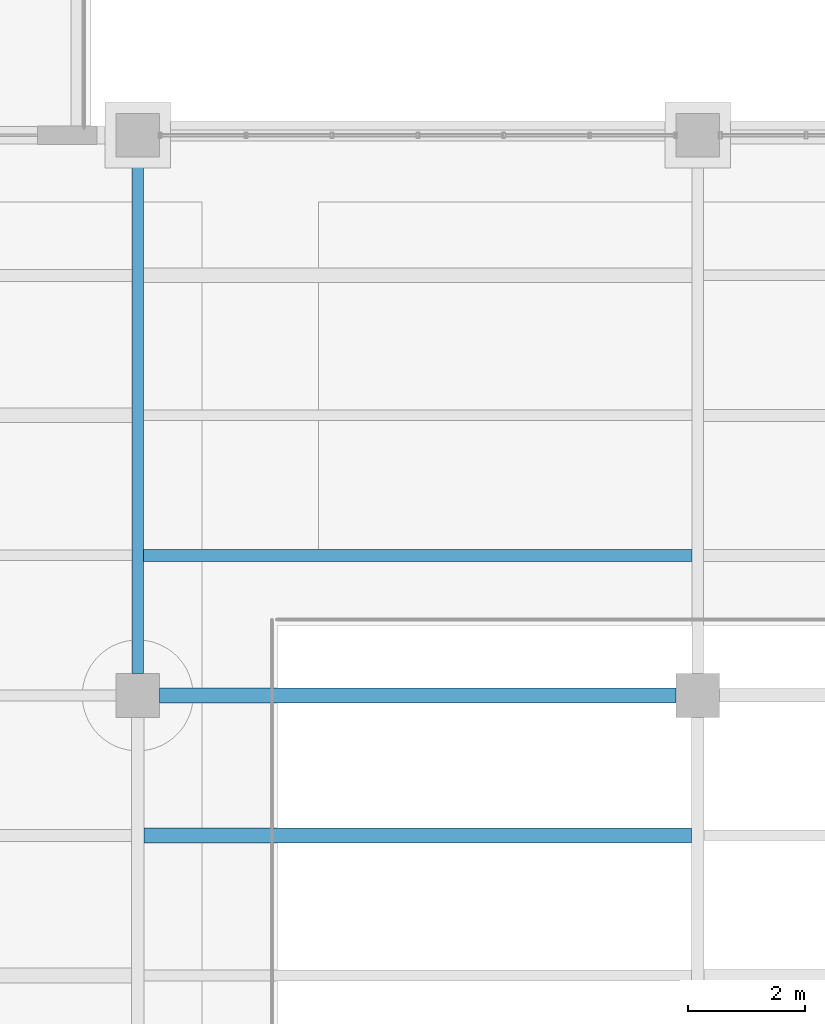
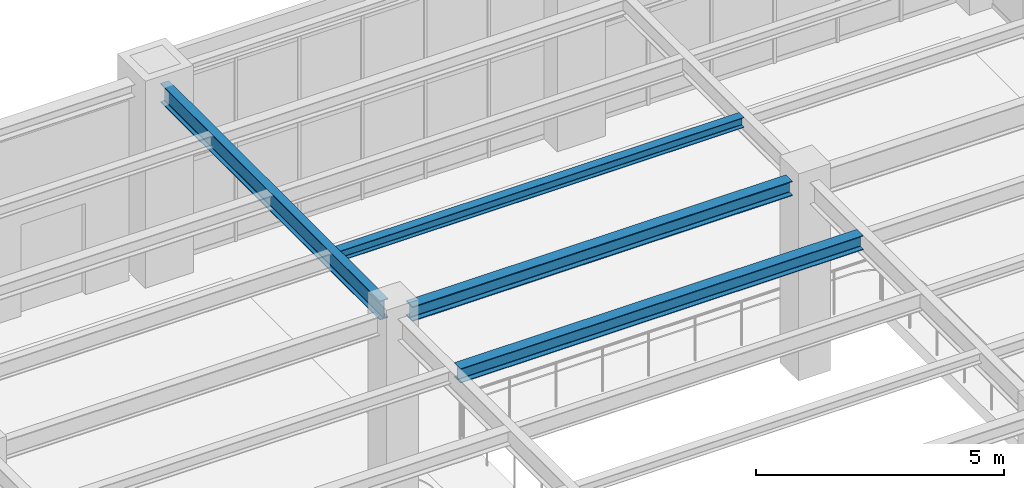
# One storey, part 19 of 174: 4 beams.
"""IFC4 building model written with IfcOpenShell, lengths in metres."""

from ifc_helpers import new_model, si_unit, direction, frame, origin, origin_2d, place, context, subcontext, project, spatial, i_section, extrude, material, material_profile, profile_set, type_object, element, save


model = new_model("IFC4")

# Units and contexts
model_context = context("Model", 3, precision=1e-05, world=origin(), true_north=direction((0.0, 1.0)))
body_context = subcontext(model_context, "Body", "Model", "MODEL_VIEW")
ifc_project = project(units=[si_unit("LENGTHUNIT", "METRE"), si_unit("AREAUNIT", "SQUARE_METRE"), si_unit("VOLUMEUNIT", "CUBIC_METRE"), si_unit("PLANEANGLEUNIT", "RADIAN"), si_unit("MASSUNIT", "GRAM", prefix="KILO")], contexts=[model_context])

# Site, building, storey
site_placement = place(None, origin())
site = spatial("IfcSite", under=ifc_project, at=site_placement, CompositionType="ELEMENT")
building_placement = place(site_placement, origin())
building = spatial("IfcBuilding", under=site, at=building_placement, Name="Mavantir Sound Aquarium", CompositionType="ELEMENT")
storey_placement = place(building_placement, frame((0.0, 0.0, 5.39990234375)))
storey = spatial("IfcBuildingStorey", under=building, at=storey_placement, Name="L01", CompositionType="ELEMENT", Elevation=5.39990234375)

# Beams
ifc_material = material(Name="Structural Steel ASTM A992 Gr50", Category="steel")
ifc_material_profile_1 = material_profile(ifc_material, i_section(OverallWidth=0.202880859375, OverallDepth=0.251953125, WebThickness=0.008056640625, FlangeThickness=0.013427734375, FilletRadius=0.011962890625, at=origin_2d()), Name="W250X58")
ifc_profile_set_1 = profile_set([ifc_material_profile_1], Name="Structural Steel ASTM A992 Gr50")
beam_type_1 = type_object("IfcBeamType", Name="BM-W250X58-I", PredefinedType="JOIST", material=ifc_profile_set_1)
beam_1_placement = place(storey_placement, frame((19.297119140625, 21.60009765625, 4.650146484375), z_axis=(1.0, 0.0, 0.0), x_axis=(0.0, 1.0, 0.0)))
element("IfcBeam", 1, at=beam_1_placement, inside=storey, type_object=beam_type_1, Name="L01 secondary floor joist SJ-25 716", PredefinedType="JOIST", context=body_context, shape_type="SweptSolid", body=[
    extrude(i_section(OverallWidth=0.202880859375, OverallDepth=0.251953125, WebThickness=0.008056640625, FlangeThickness=0.013427734375, FilletRadius=0.011962890625, at=origin_2d()), origin(), (0.0, 0.0, 1.0), 9.40576171875),
])
ifc_material_profile_2 = material_profile(ifc_material, i_section(OverallWidth=0.257080078125, OverallDepth=0.363037109375, WebThickness=0.012939453125, FlangeThickness=0.021728515625, FilletRadius=0.014892578125, at=origin_2d()), Name="W360X122")
ifc_profile_set_2 = profile_set([ifc_material_profile_2], Name="Structural Steel ASTM A992 Gr50")
beam_type_2 = type_object("IfcBeamType", Name="BM-W360X122-I", PredefinedType="BEAM", material=ifc_profile_set_2)
beam_2_placement = place(storey_placement, frame((19.574951171875, 19.199951171875, 4.594482421875), z_axis=(1.0, 0.0, 0.0), x_axis=(0.0, 1.0, 0.0)))
element("IfcBeam", 2, at=beam_2_placement, inside=storey, type_object=beam_type_2, Name="L01 primary beam SB-36A 1216", PredefinedType="BEAM", context=body_context, shape_type="SweptSolid", body=[
    extrude(i_section(OverallWidth=0.257080078125, OverallDepth=0.363037109375, WebThickness=0.012939453125, FlangeThickness=0.021728515625, FilletRadius=0.014892578125, at=origin_2d()), origin(), (0.0, 0.0, 1.0), 8.85009765625),
])
ifc_material_profile_3 = material_profile(ifc_material, i_section(OverallWidth=0.25390625, OverallDepth=0.35302734375, WebThickness=0.009521484375, FlangeThickness=0.016357421875, FilletRadius=0.014892578125, at=origin_2d()), Name="W360X91")
ifc_profile_set_3 = profile_set([ifc_material_profile_3], Name="Structural Steel ASTM A992 Gr50")
beam_type_3 = type_object("IfcBeamType", Name="BM-W360X91-I", PredefinedType="JOIST", material=ifc_profile_set_3)
beam_3_placement = place(storey_placement, frame((19.305908203125, 16.800048828125, 4.61962890625), z_axis=(1.0, 0.0, 0.0), x_axis=(0.0, 1.0, 0.0)))
element("IfcBeam", 3, at=beam_3_placement, inside=storey, type_object=beam_type_3, Name="L01 secondary floor joist SJ-36 706", PredefinedType="JOIST", context=body_context, shape_type="SweptSolid", body=[
    extrude(i_section(OverallWidth=0.25390625, OverallDepth=0.35302734375, WebThickness=0.009521484375, FlangeThickness=0.016357421875, FilletRadius=0.014892578125, at=origin_2d()), origin(), (0.0, 0.0, 1.0), 9.38818359375),
])
ifc_material_profile_4 = material_profile(ifc_material, i_section(OverallWidth=0.194091796875, OverallDepth=0.468994140625, WebThickness=0.0126953125, FlangeThickness=0.0205078125, FilletRadius=0.01611328125, at=origin_2d()), Name="W460X106")
ifc_profile_set_4 = profile_set([ifc_material_profile_4], Name="Structural Steel ASTM A992 Gr50")
beam_type_4 = type_object("IfcBeamType", Name="BM-W460X106-I", PredefinedType="BEAM", material=ifc_profile_set_4)
beam_4_placement = place(storey_placement, frame((19.199951171875, 19.574951171875, 4.54150390625), z_axis=(0.0, 1.0, 0.0), x_axis=(-1.0, 0.0, 0.0)))
element("IfcBeam", 4, at=beam_4_placement, inside=storey, type_object=beam_type_4, Name="L01 primary girder SB-46 1230", PredefinedType="BEAM", context=body_context, shape_type="SweptSolid", body=[
    extrude(i_section(OverallWidth=0.194091796875, OverallDepth=0.468994140625, WebThickness=0.0126953125, FlangeThickness=0.0205078125, FilletRadius=0.01611328125, at=origin_2d()), origin(), (0.0, 0.0, 1.0), 8.85009765625),
])

save(model, "model.ifc")
